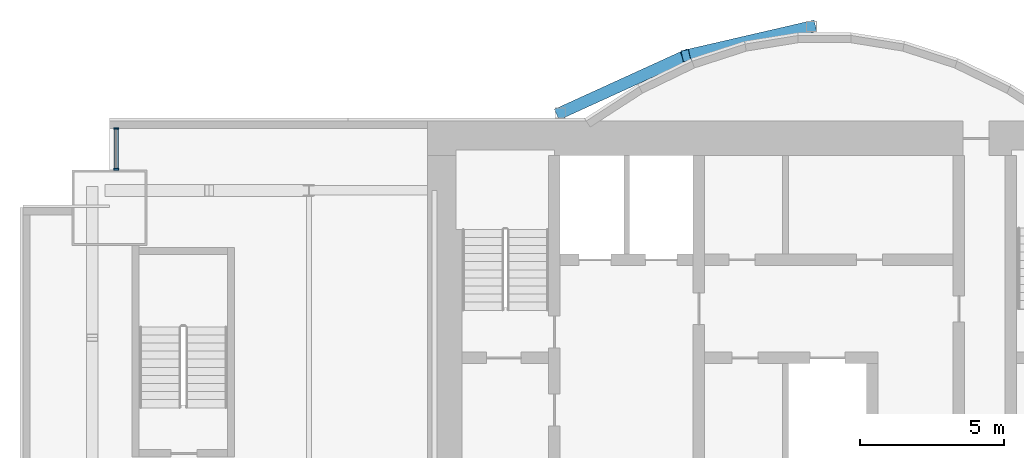
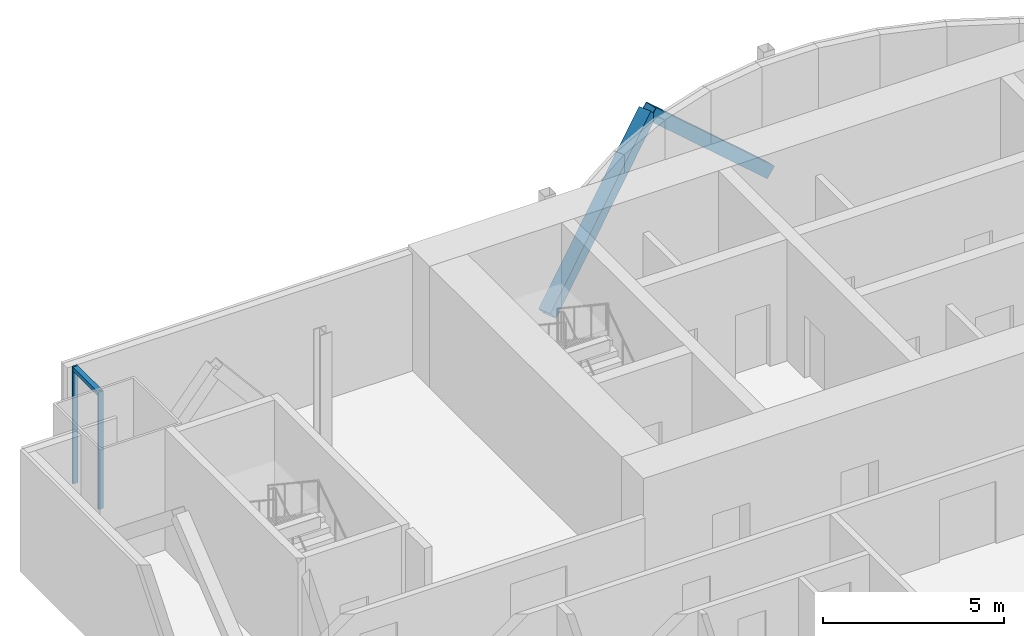
# One storey, part 10 of 20: 5 members, 1 element without a shape of its own.
"""IFC4 building model written with IfcOpenShell, lengths in metres."""

from ifc_helpers import new_model, si_unit, direction, frame, origin, origin_2d, place, context, subcontext, project, spatial, rectangle, hollow_rectangle, extrude, material, material_profile, profile_set, type_object, element, aggregate, save


model = new_model("IFC4")

# Units and contexts
model_context = context("Model", 3, precision=1e-05, world=origin(), true_north=direction((0.0, 1.0)))
body_context = subcontext(model_context, "Body", "Model", "MODEL_VIEW")
ifc_project = project(units=[si_unit("LENGTHUNIT", "METRE"), si_unit("AREAUNIT", "SQUARE_METRE"), si_unit("VOLUMEUNIT", "CUBIC_METRE"), si_unit("PLANEANGLEUNIT", "RADIAN"), si_unit("MASSUNIT", "GRAM", prefix="KILO")], contexts=[model_context])

# Site, building, storey
site_placement = place(None, origin())
site = spatial("IfcSite", under=ifc_project, at=site_placement, CompositionType="ELEMENT")
building_placement = place(site_placement, origin())
building = spatial("IfcBuilding", under=site, at=building_placement, Name="Bicima Exchange Tower", CompositionType="ELEMENT")
storey_placement = place(building_placement, frame((0.0, 0.0, 227.800048828125)))
storey = spatial("IfcBuildingStorey", under=building, at=storey_placement, Name="L51", CompositionType="ELEMENT", Elevation=227.800048828125)

# Curtain wall, members
ifc_material_1 = material(Name="Anodised bronze aluminium", Category="aluminium")
curtain_wall_type = type_object("IfcCurtainWallType", Name="Front glass wall", PredefinedType="NOTDEFINED", material=ifc_material_1)
curtain_wall_placement = place(storey_placement, origin())
curtain_wall = element("IfcCurtainWall", 1, at=curtain_wall_placement, inside=storey, type_object=curtain_wall_type, Name="Front glass wall L51 run 1", PredefinedType="NOTDEFINED")
ifc_material_profile_1 = material_profile(ifc_material_1, rectangle(XDim=0.159912109375, YDim=0.06005859375, at=origin_2d()))
ifc_profile_set_1 = profile_set([ifc_material_profile_1], Name="Anodised bronze aluminium")
member_type_1 = type_object("IfcMemberType", Name="Front glass wall mullion 60 x 160", PredefinedType="MULLION", material=ifc_profile_set_1)
member_1_placement = place(storey_placement, frame((-32.77001953125, -0.260009765625, 0.0), z_axis=(0.0, 0.0, 1.0), x_axis=(1.0, 0.0, 0.0)))
member_1 = element("IfcMember", 2, at=member_1_placement, type_object=member_type_1, Name="Front glass wall mullion 1", PredefinedType="MULLION", context=body_context, shape_type="SweptSolid", body=[
    extrude(rectangle(XDim=0.159912109375, YDim=0.06005859375, at=origin_2d()), origin(), (0.0, 0.0, 1.0), 3.949951171875),
])
member_2_placement = place(storey_placement, frame((-32.77001953125, -1.669921875, 0.0), z_axis=(0.0, 0.0, 1.0), x_axis=(1.0, 0.0, 0.0)))
member_2 = element("IfcMember", 3, at=member_2_placement, type_object=member_type_1, Name="Front glass wall mullion 2", PredefinedType="MULLION", context=body_context, shape_type="SweptSolid", body=[
    extrude(rectangle(XDim=0.159912109375, YDim=0.06005859375, at=origin_2d()), origin(), (0.0, 0.0, 1.0), 3.949951171875),
])
ifc_material_profile_2 = material_profile(ifc_material_1, rectangle(XDim=0.159912109375, YDim=0.139892578125, at=origin_2d()))
ifc_profile_set_2 = profile_set([ifc_material_profile_2], Name="Anodised bronze aluminium")
member_type_2 = type_object("IfcMemberType", Name="Front glass wall transom 140 x 160", PredefinedType="USERDEFINED", material=ifc_profile_set_2)
member_3_placement = place(storey_placement, frame((-32.77001953125, -0.2900390625, 3.8798828125), z_axis=(0.0, -1.0, 0.0), x_axis=(1.0, 0.0, 0.0)))
member_3 = element("IfcMember", 4, at=member_3_placement, type_object=member_type_2, Name="Front glass wall transom 1.1", ObjectType="TRANSOM", PredefinedType="USERDEFINED", context=body_context, shape_type="SweptSolid", body=[
    extrude(rectangle(XDim=0.159912109375, YDim=0.139892578125, at=origin_2d()), origin(), (0.0, 0.0, 1.0), 1.349853515625),
])
aggregate(curtain_wall, [member_1, member_2, member_3])

# Members
ifc_material_2 = material(Name="Steel ASTM A572 Gr 50", Category="steel")
ifc_material_profile_3 = material_profile(ifc_material_2, hollow_rectangle(XDim=0.406494140625, YDim=0.406494140625, WallThickness=0.0146484375, at=origin_2d()))
ifc_profile_set_3 = profile_set([ifc_material_profile_3], Name="Steel ASTM A572 Gr 50")
member_type_3 = type_object("IfcMemberType", Name="Mega brace HSS16x16x5/8", PredefinedType="BRACE", material=ifc_profile_set_3)
member_4_placement = place(storey_placement, frame((-17.39990234375, 0.278076171875, 0.0), z_axis=(0.690646390594, 0.3150684101, 0.650952732629), x_axis=(-0.415045223819, 0.909800781592, 0.0)))
element("IfcMember", 5, at=member_4_placement, inside=storey, type_object=member_type_3, Name="Mega brace rexo", PredefinedType="BRACE", context=body_context, shape_type="SweptSolid", body=[
    extrude(hollow_rectangle(XDim=0.406494140625, YDim=0.406494140625, WallThickness=0.0146484375, at=origin_2d()), origin(), (0.0, 0.0, 1.0), 6.29833984375),
])
member_5_placement = place(storey_placement, frame((-8.699951171875, 3.26904296875, 0.0), z_axis=(-0.717625168184, -0.166055032463, 0.676342993002), x_axis=(0.225438503722, -0.974257399787, 0.0)))
element("IfcMember", 6, at=member_5_placement, inside=storey, type_object=member_type_3, Name="Mega brace rexo", PredefinedType="BRACE", context=body_context, shape_type="SweptSolid", body=[
    extrude(hollow_rectangle(XDim=0.406494140625, YDim=0.406494140625, WallThickness=0.0146484375, at=origin_2d()), origin(), (0.0, 0.0, 1.0), 6.061767578125),
])

save(model, "model.ifc")
